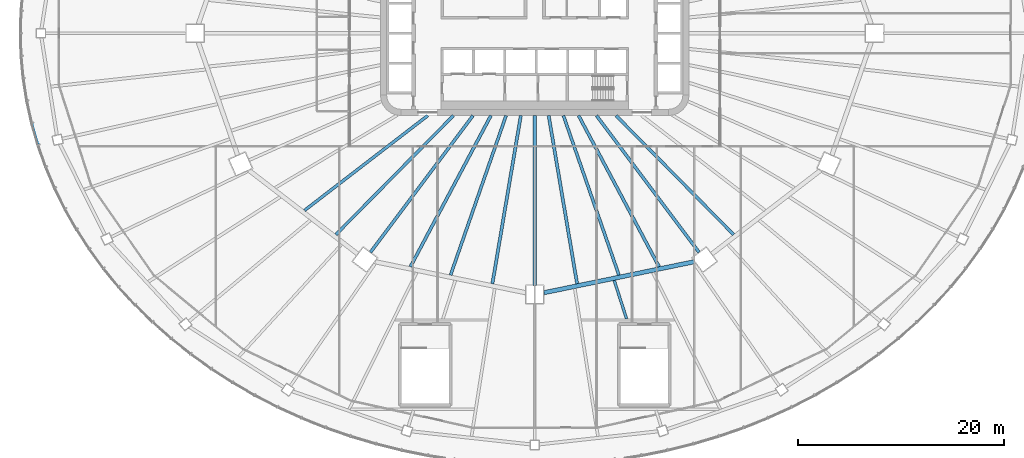
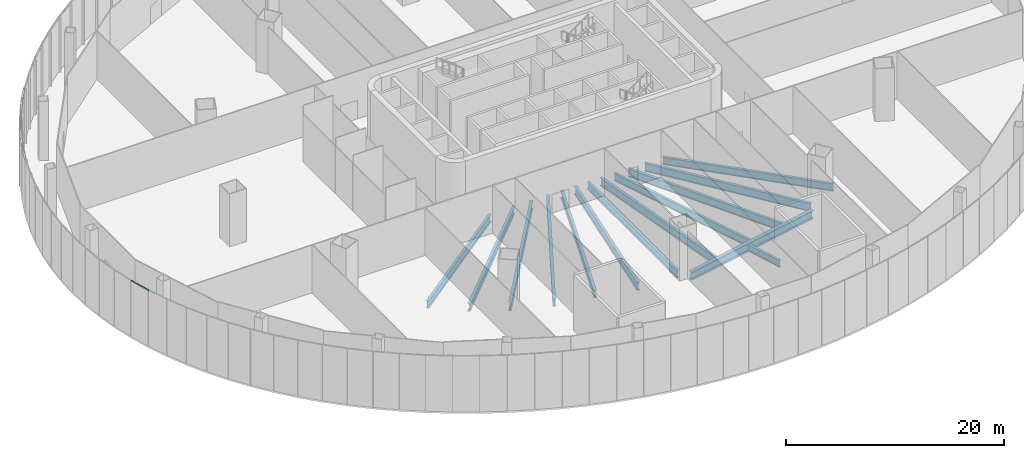
# One storey, part 5 of 33: 14 beams, 1 member, 1 element without a shape of its own.
"""IFC4 building model written with IfcOpenShell, lengths in metres."""

import ifcopenshell
import ifcopenshell.guid

model = None  # the IFC model being written
_history = None  # IfcOwnerHistory: only IFC2X3 demands one
_inside = {}  # id of a spatial element -> (the spatial element, [elements in it])
_under = {}  # id of a project, library or spatial element -> (it, [spatial elements below it])
_declared = {}  # id of a project -> (the project, [libraries it declares])
_typed = {}  # id of a type object -> (the type object, [elements of that type])
_made_of = {}  # id of a material, layer set ... -> (it, [elements and type objects made of it])


def new_model(schema):
    """Start an empty IFC model of exactly this schema.

    Asked for "IFC4X3", IfcOpenShell would pick the latest addendum, in which some entities
    have other attributes; the version numbers below select the first issue.
    IFC2X3 requires an IfcOwnerHistory on every rooted entity: one is made here for all.
    """
    global model, _history
    if schema == "IFC4X3":
        model = ifcopenshell.file(schema_version=(4, 3, 0, 0))
    else:
        model = ifcopenshell.file(schema=schema)
    _inside.clear()
    _under.clear()
    _declared.clear()
    _typed.clear()
    _made_of.clear()
    _history = None
    if model.schema == "IFC2X3":
        org = make("IfcOrganization", Name="unknown")
        user = make(
            "IfcPersonAndOrganization",
            ThePerson=make("IfcPerson", FamilyName="unknown"),
            TheOrganization=org,
        )
        app = make(
            "IfcApplication",
            ApplicationDeveloper=org,
            Version="unknown",
            ApplicationFullName="unknown",
            ApplicationIdentifier="unknown",
        )
        _history = make(
            "IfcOwnerHistory",
            OwningUser=user,
            OwningApplication=app,
            ChangeAction="ADDED",
            CreationDate=0,
        )
    return model


def make(cls, **values):
    """One entity of the class cls with the attributes given. An attribute that is None is left unset."""
    return model.create_entity(
        cls, **{name: value for name, value in values.items() if value is not None}
    )


def rooted(cls, **values):
    """An entity with a GlobalId (a new one), such as an element, a storey or a relation."""
    return make(cls, GlobalId=ifcopenshell.guid.new(), OwnerHistory=_history, **values)


def si_unit(unit_type, name, prefix=None):
    """IfcSIUnit, for example si_unit("LENGTHUNIT", "METRE", prefix="MILLI")."""
    return make("IfcSIUnit", UnitType=unit_type, Prefix=prefix, Name=name)


def assignment(units):
    """IfcUnitAssignment: the units of a project."""
    return None if units is None else make("IfcUnitAssignment", Units=units)


def point(xyz):
    """IfcCartesianPoint."""
    return None if xyz is None else make("IfcCartesianPoint", Coordinates=xyz)


def direction(xyz):
    """IfcDirection."""
    return None if xyz is None else make("IfcDirection", DirectionRatios=xyz)


def frame(location, z_axis=None, x_axis=None):
    """IfcAxis2Placement3D, a coordinate frame: its origin and axes. An axis left out is left unset."""
    return make(
        "IfcAxis2Placement3D",
        Location=point(location),
        Axis=direction(z_axis),
        RefDirection=direction(x_axis),
    )


def frame_2d(location, x_axis=None):
    """IfcAxis2Placement2D, a coordinate frame in the plane: its origin and x axis."""
    return make(
        "IfcAxis2Placement2D", Location=point(location), RefDirection=direction(x_axis)
    )


def origin():
    """The frame at (0, 0, 0) with its axes left unset."""
    return frame((0.0, 0.0, 0.0))


def origin_2d():
    """The frame at (0, 0) in the plane with its x axis left unset."""
    return frame_2d((0.0, 0.0))


def place(relative_to, where):
    """IfcLocalPlacement: puts the frame where relative to a parent placement (None: the world)."""
    return make(
        "IfcLocalPlacement", PlacementRelTo=relative_to, RelativePlacement=where
    )


def context(
    kind, dimensions, precision=None, world=None, true_north=None, identifier=None
):
    """IfcGeometricRepresentationContext, for example the 3D "Model" context."""
    return make(
        "IfcGeometricRepresentationContext",
        ContextIdentifier=identifier,
        ContextType=kind,
        CoordinateSpaceDimension=dimensions,
        Precision=precision,
        WorldCoordinateSystem=world,
        TrueNorth=true_north,
    )


def subcontext(parent, identifier, kind, view, scale=None):
    """IfcGeometricRepresentationSubContext, for example "Body" below "Model"."""
    return make(
        "IfcGeometricRepresentationSubContext",
        ContextIdentifier=identifier,
        ContextType=kind,
        ParentContext=parent,
        TargetScale=scale,
        TargetView=view,
    )


def project(units=None, contexts=None):
    """IfcProject with its units and contexts."""
    return rooted(
        "IfcProject",
        Name="project",
        RepresentationContexts=contexts,
        UnitsInContext=assignment(units),
    )


def spatial(cls, under=None, at=None, **own):
    """A site, building, storey or space (cls), placed at a placement, below another one or the project."""
    s = rooted(cls, ObjectPlacement=at, **own)
    if under is not None:
        _under.setdefault(under.id(), (under, []))[1].append(s)
    return s


def profile(cls, at=None, kind="AREA", **sizes):
    """A parametric profile (cls). Its sizes go by their IFC names, for example OverallWidth=200.0."""
    return make(cls, ProfileType=kind, Position=at, **sizes)


def rectangle(**sizes):
    """IfcRectangleProfileDef."""
    return profile("IfcRectangleProfileDef", **sizes)


def i_section(**sizes):
    """IfcIShapeProfileDef."""
    return profile("IfcIShapeProfileDef", **sizes)


def extrude(swept, where, along, depth):
    """IfcExtrudedAreaSolid: the profile swept, set in the frame where, extruded along a direction by depth."""
    return make(
        "IfcExtrudedAreaSolid",
        SweptArea=swept,
        Position=where,
        ExtrudedDirection=direction(along),
        Depth=depth,
    )


def shape(context_of_items, identifier, shape_type, items):
    """IfcShapeRepresentation: the items that make up one representation, for example the "Body"."""
    return make(
        "IfcShapeRepresentation",
        ContextOfItems=context_of_items,
        RepresentationIdentifier=identifier,
        RepresentationType=shape_type,
        Items=items,
    )


def material(Name=None, Category=None):
    """IfcMaterial."""
    return make("IfcMaterial", Name=Name, Category=Category)


def layer(
    of_material, thickness, ventilated=None, Name=None, Category=None, Priority=None
):
    """IfcMaterialLayer: one layer of a wall or slab, of a material (None: an air gap)."""
    return make(
        "IfcMaterialLayer",
        Material=of_material,
        LayerThickness=thickness,
        IsVentilated=ventilated,
        Name=Name,
        Category=Category,
        Priority=Priority,
    )


def layer_set(layers, Name=None):
    """IfcMaterialLayerSet."""
    return make("IfcMaterialLayerSet", MaterialLayers=layers, LayerSetName=Name)


def material_profile(
    of_material, cross_section, Name=None, Category=None, Priority=None
):
    """IfcMaterialProfile: a cross section and its material."""
    return make(
        "IfcMaterialProfile",
        Name=Name,
        Material=of_material,
        Profile=cross_section,
        Priority=Priority,
        Category=Category,
    )


def profile_set(profiles, Name=None, composite=None):
    """IfcMaterialProfileSet."""
    return make(
        "IfcMaterialProfileSet",
        Name=Name,
        MaterialProfiles=profiles,
        CompositeProfile=composite,
    )


def made_of(thing, what):
    """Note that an element or type object is made of a material, layer set ...; save() writes the relation."""
    if what is not None:
        _made_of.setdefault(what.id(), (what, []))[1].append(thing)
    return thing


def type_object(cls, material=None, **own):
    """A type object (cls), such as IfcWallType, which elements share."""
    return made_of(rooted(cls, **own), material)


def element(
    cls,
    number,
    at=None,
    inside=None,
    cuts=None,
    type_object=None,
    material=None,
    context=None,
    identifier="Body",
    shape_type=None,
    held_by="IfcProductDefinitionShape",
    body=None,
    shapes=None,
    **own,
):
    """One element of the class cls, such as IfcWall. Its Tag is "e" and its number.

    at: its placement. inside: the storey or other place that contains it. cuts: it is an
    opening in that element (IfcRelVoidsElement). A single representation is given by context,
    identifier, shape_type and body (its items); several are given by shapes. held_by: the class
    of the entity that holds the representations. save() writes the other relations.
    """
    e = rooted(cls, Tag="e%d" % number, ObjectPlacement=at, **own)
    if body is not None:
        shapes = [shape(context, identifier, shape_type, body)]
    if shapes is not None:
        e.Representation = make(held_by, Representations=shapes)
    if inside is not None:
        _inside.setdefault(inside.id(), (inside, []))[1].append(e)
    if cuts is not None:
        rooted(
            "IfcRelVoidsElement", RelatingBuildingElement=cuts, RelatedOpeningElement=e
        )
    if type_object is not None:
        _typed.setdefault(type_object.id(), (type_object, []))[1].append(e)
    return made_of(e, material)


def aggregate(whole, parts):
    """IfcRelAggregates: a whole, such as a stair, and the parts it consists of."""
    return rooted("IfcRelAggregates", RelatingObject=whole, RelatedObjects=parts)


def save(model, path):
    """Write the relations noted so far, then the file.

    IfcRelAggregates (storeys below a building ...), IfcRelContainedInSpatialStructure (elements
    in a storey), IfcRelDefinesByType, IfcRelAssociatesMaterial and IfcRelDeclares: one each for
    every whole, place, type object, material and project.
    """
    for whole, parts in _under.values():
        aggregate(whole, parts)
    for where, things in _inside.values():
        rooted(
            "IfcRelContainedInSpatialStructure",
            RelatedElements=things,
            RelatingStructure=where,
        )
    for kind, things in _typed.values():
        rooted("IfcRelDefinesByType", RelatedObjects=things, RelatingType=kind)
    for what, things in _made_of.values():
        rooted("IfcRelAssociatesMaterial", RelatedObjects=things, RelatingMaterial=what)
    for by, libraries in _declared.values():
        rooted("IfcRelDeclares", RelatingContext=by, RelatedDefinitions=libraries)
    model.write(path)


model = new_model("IFC4")

# Units and contexts
model_context = context("Model", 3, precision=1e-05, world=origin(), true_north=direction((0.0, 1.0)))
body_context = subcontext(model_context, "Body", "Model", "MODEL_VIEW")
ifc_project = project(units=[si_unit("LENGTHUNIT", "METRE"), si_unit("AREAUNIT", "SQUARE_METRE"), si_unit("VOLUMEUNIT", "CUBIC_METRE"), si_unit("PLANEANGLEUNIT", "RADIAN"), si_unit("MASSUNIT", "GRAM", prefix="KILO")], contexts=[model_context])

# Site, building, storey
site_placement = place(None, origin())
site = spatial("IfcSite", under=ifc_project, at=site_placement, CompositionType="ELEMENT")
building_placement = place(site_placement, origin())
building = spatial("IfcBuilding", under=site, at=building_placement, Name="Sahrelin Media Tower", CompositionType="ELEMENT")
storey_placement = place(building_placement, frame((0.0, 0.0, 37.39990234375)))
storey = spatial("IfcBuildingStorey", under=building, at=storey_placement, Name="L05", CompositionType="ELEMENT", Elevation=37.39990234375)

# Beams
ifc_material_1 = material(Name="Steel S355", Category="steel")
ifc_material_profile_1 = material_profile(ifc_material_1, i_section(OverallWidth=0.41845703125, OverallDepth=0.911865234375, WebThickness=0.019287109375, FlangeThickness=0.031982421875, FilletRadius=0.024169921875, at=origin_2d()), Name="UB 914x419x343")
ifc_profile_set_1 = profile_set([ifc_material_profile_1], Name="Steel S355")
beam_type_1 = type_object("IfcBeamType", Name="Podium ring girder PG12", PredefinedType="BEAM", material=ifc_profile_set_1)
beam_1_placement = place(storey_placement, frame((0.89990234375, -25.21435546875, -0.65576171875), z_axis=(0.979388513106, 0.201985495508, 0.0), x_axis=(-0.201985495508, 0.979388513106, 0.0)))
element("IfcBeam", 1, at=beam_1_placement, inside=storey, type_object=beam_type_1, Name="Podium girder L05-10", PredefinedType="BEAM", context=body_context, shape_type="SweptSolid", body=[
    extrude(i_section(OverallWidth=0.41845703125, OverallDepth=0.911865234375, WebThickness=0.019287109375, FlangeThickness=0.031982421875, FilletRadius=0.024169921875, at=origin_2d()), origin(), (0.0, 0.0, 1.0), 14.93359375),
])
ifc_material_profile_2 = material_profile(ifc_material_1, i_section(OverallWidth=0.291748046875, OverallDepth=0.8349609375, WebThickness=0.013916015625, FlangeThickness=0.018798828125, FilletRadius=0.017822265625, at=origin_2d()), Name="UB 838x292x176")
ifc_profile_set_2 = profile_set([ifc_material_profile_2], Name="Steel S355")
beam_type_2 = type_object("IfcBeamType", Name="Radial primary beam PB10", PredefinedType="BEAM", material=ifc_profile_set_2)
beam_2_placement = place(storey_placement, frame((-10.393798828125, -8.0, -0.617431640625), z_axis=(-0.79244196099, -0.609947324335, 0.0), x_axis=(0.609947324335, -0.79244196099, 0.0)))
element("IfcBeam", 2, at=beam_2_placement, inside=storey, type_object=beam_type_2, Name="Radial beam L05-16", PredefinedType="BEAM", context=body_context, shape_type="SweptSolid", body=[
    extrude(i_section(OverallWidth=0.291748046875, OverallDepth=0.8349609375, WebThickness=0.013916015625, FlangeThickness=0.018798828125, FilletRadius=0.017822265625, at=origin_2d()), origin(), (0.0, 0.0, 1.0), 15.1103515625),
])
beam_3_placement = place(storey_placement, frame((-2.784912109375, -8.0, -0.617431640625), z_axis=(-0.328776215552, -0.944407856854, 0.0), x_axis=(0.944407856854, -0.328776215552, 0.0)))
element("IfcBeam", 3, at=beam_3_placement, inside=storey, type_object=beam_type_2, Name="Radial beam L05-18", PredefinedType="BEAM", context=body_context, shape_type="SweptSolid", body=[
    extrude(i_section(OverallWidth=0.291748046875, OverallDepth=0.8349609375, WebThickness=0.013916015625, FlangeThickness=0.018798828125, FilletRadius=0.017822265625, at=origin_2d()), origin(), (0.0, 0.0, 1.0), 16.41162109375),
])
beam_4_placement = place(storey_placement, frame((0.0, -8.0, -0.617431640625), z_axis=(0.0, -1.0, 0.0), x_axis=(1.0, 0.0, 0.0)))
element("IfcBeam", 4, at=beam_4_placement, inside=storey, type_object=beam_type_2, Name="Radial beam L05-19", PredefinedType="BEAM", context=body_context, shape_type="SweptSolid", body=[
    extrude(i_section(OverallWidth=0.291748046875, OverallDepth=0.8349609375, WebThickness=0.013916015625, FlangeThickness=0.018798828125, FilletRadius=0.017822265625, at=origin_2d()), origin(), (0.0, 0.0, 1.0), 16.5),
])
beam_5_placement = place(storey_placement, frame((2.784912109375, -8.0, -0.617431640625), z_axis=(0.328776215552, -0.944407856854, 0.0), x_axis=(0.944407856854, 0.328776215552, 0.0)))
element("IfcBeam", 5, at=beam_5_placement, inside=storey, type_object=beam_type_2, Name="Radial beam L05-20", PredefinedType="BEAM", context=body_context, shape_type="SweptSolid", body=[
    extrude(i_section(OverallWidth=0.291748046875, OverallDepth=0.8349609375, WebThickness=0.013916015625, FlangeThickness=0.018798828125, FilletRadius=0.017822265625, at=origin_2d()), origin(), (0.0, 0.0, 1.0), 16.41162109375),
])
ifc_material_profile_3 = material_profile(ifc_material_1, i_section(OverallWidth=0.30322265625, OverallDepth=0.903076171875, WebThickness=0.01513671875, FlangeThickness=0.020263671875, FilletRadius=0.01904296875, at=origin_2d()), Name="UB 914x305x201")
ifc_profile_set_3 = profile_set([ifc_material_profile_3], Name="Steel S355")
beam_type_3 = type_object("IfcBeamType", Name="Radial primary beam PB11", PredefinedType="BEAM", material=ifc_profile_set_3)
for number, where, z_axis, x_axis, name in (
    (6, (-6.000732421875, -8.0, -0.6513671875), (-0.600054130443, -0.799959399306, 0.0), (0.799959399306, -0.600054130443, 0.0), "Radial beam L05-17"),
    (7, (6.000732421875, -8.0, -0.6513671875), (0.600054130443, -0.799959399306, 0.0), (0.799959399306, 0.600054130443, 0.0), "Radial beam L05-21"),
):
    element("IfcBeam", number, at=place(storey_placement, frame(where, z_axis=z_axis, x_axis=x_axis)), inside=storey, type_object=beam_type_3, Name=name, PredefinedType="BEAM", context=body_context, shape_type="SweptSolid", body=[
        extrude(i_section(OverallWidth=0.30322265625, OverallDepth=0.903076171875, WebThickness=0.01513671875, FlangeThickness=0.020263671875, FilletRadius=0.01904296875, at=origin_2d()), origin(), (0.0, 0.0, 1.0), 16.59716796875),
    ])
ifc_material_profile_4 = material_profile(ifc_material_1, i_section(OverallWidth=0.26513671875, OverallDepth=0.75390625, WebThickness=0.0126953125, FlangeThickness=0.017578125, FilletRadius=0.0166015625, at=origin_2d()), Name="UB 762x267x147")
ifc_profile_set_4 = profile_set([ifc_material_profile_4], Name="Steel S355")
beam_type_4 = type_object("IfcBeamType", Name="Radial primary beam PB9", PredefinedType="BEAM", material=ifc_profile_set_4)
beam_6_placement = place(storey_placement, frame((7.7236328125, -24.020751953125, -0.576904296875), z_axis=(0.30607575523, -0.952007159669, 0.0), x_axis=(0.952007159669, 0.30607575523, 0.0)))
element("IfcBeam", 8, at=beam_6_placement, inside=storey, type_object=beam_type_4, Name="Radial beam L05-23", PredefinedType="BEAM", context=body_context, shape_type="SweptSolid", body=[
    extrude(i_section(OverallWidth=0.26513671875, OverallDepth=0.75390625, WebThickness=0.0126953125, FlangeThickness=0.017578125, FilletRadius=0.0166015625, at=origin_2d()), origin(), (0.0, 0.0, 1.0), 3.917236328125),
])
ifc_material_profile_5 = material_profile(ifc_material_1, i_section(OverallWidth=0.291748046875, OverallDepth=0.8349609375, WebThickness=0.013916015625, FlangeThickness=0.018798828125, FilletRadius=0.017822265625, at=origin_2d()), Name="UB 838x292x176")
ifc_profile_set_5 = profile_set([ifc_material_profile_5], Name="Steel S355")
beam_type_5 = type_object("IfcBeamType", Name="Radial secondary beam SB10", PredefinedType="BEAM", material=ifc_profile_set_5)
for number, where, z_axis, x_axis, name in (
    (9, (-7.901123046875, -8.0, -0.617431640625), (-0.702706329063, -0.711480017355, 0.0), (0.711480017355, -0.702706329063, 0.0), "Secondary beam L05-16"),
    (10, (7.901123046875, -8.0, -0.617431640625), (0.702706329063, -0.711480017355, 0.0), (0.711480017355, 0.702706329063, 0.0), "Secondary beam L05-21"),
):
    element("IfcBeam", number, at=place(storey_placement, frame(where, z_axis=z_axis, x_axis=x_axis)), inside=storey, type_object=beam_type_5, Name=name, PredefinedType="BEAM", context=body_context, shape_type="SweptSolid", body=[
        extrude(i_section(OverallWidth=0.291748046875, OverallDepth=0.8349609375, WebThickness=0.013916015625, FlangeThickness=0.018798828125, FilletRadius=0.017822265625, at=origin_2d()), origin(), (0.0, 0.0, 1.0), 16.250732421875),
    ])
ifc_material_profile_6 = material_profile(ifc_material_1, i_section(OverallWidth=0.30322265625, OverallDepth=0.903076171875, WebThickness=0.01513671875, FlangeThickness=0.020263671875, FilletRadius=0.01904296875, at=origin_2d()), Name="UB 914x305x201")
ifc_profile_set_6 = profile_set([ifc_material_profile_6], Name="Steel S355")
beam_type_6 = type_object("IfcBeamType", Name="Radial secondary beam SB11", PredefinedType="BEAM", material=ifc_profile_set_6)
beam_7_placement = place(storey_placement, frame((-4.259765625, -8.0, -0.6513671875), z_axis=(-0.469997453325, -0.882667770947, 0.0), x_axis=(0.882667770947, -0.469997453325, 0.0)))
element("IfcBeam", 11, at=beam_7_placement, inside=storey, type_object=beam_type_6, Name="Secondary beam L05-17", PredefinedType="BEAM", context=body_context, shape_type="SweptSolid", body=[
    extrude(i_section(OverallWidth=0.30322265625, OverallDepth=0.903076171875, WebThickness=0.01513671875, FlangeThickness=0.020263671875, FilletRadius=0.01904296875, at=origin_2d()), origin(), (0.0, 0.0, 1.0), 16.6474609375),
])
for number, where, z_axis, x_axis, name in (
    (12, (-1.352783203125, -8.0, -0.6513671875), (-0.166704262426, -0.986006941603, 0.0), (0.986006941603, -0.166704262426, 0.0), "Secondary beam L05-18"),
    (13, (1.352783203125, -8.0, -0.6513671875), (0.166704262426, -0.986006941603, 0.0), (0.986006941603, 0.166704262426, 0.0), "Secondary beam L05-19"),
):
    element("IfcBeam", number, at=place(storey_placement, frame(where, z_axis=z_axis, x_axis=x_axis)), inside=storey, type_object=beam_type_6, Name=name, PredefinedType="BEAM", context=body_context, shape_type="SweptSolid", body=[
        extrude(i_section(OverallWidth=0.30322265625, OverallDepth=0.903076171875, WebThickness=0.01513671875, FlangeThickness=0.020263671875, FilletRadius=0.01904296875, at=origin_2d()), origin(), (0.0, 0.0, 1.0), 16.569580078125),
    ])
beam_8_placement = place(storey_placement, frame((4.259765625, -8.0, -0.6513671875), z_axis=(0.469997453325, -0.882667770947, 0.0), x_axis=(0.882667770947, 0.469997453325, 0.0)))
element("IfcBeam", 14, at=beam_8_placement, inside=storey, type_object=beam_type_6, Name="Secondary beam L05-20", PredefinedType="BEAM", context=body_context, shape_type="SweptSolid", body=[
    extrude(i_section(OverallWidth=0.30322265625, OverallDepth=0.903076171875, WebThickness=0.01513671875, FlangeThickness=0.020263671875, FilletRadius=0.01904296875, at=origin_2d()), origin(), (0.0, 0.0, 1.0), 16.6474609375),
])

# Curtain wall, member
ifc_material_2 = material(Name="Champagne anodised aluminium 6063-T6", Category="aluminium")
ifc_layer = layer(ifc_material_2, 0.14990234375)
ifc_layer_set = layer_set([ifc_layer], Name="Podium ribbon curtain wall")
curtain_wall_type = type_object("IfcCurtainWallType", Name="Podium ribbon curtain wall", PredefinedType="NOTDEFINED", material=ifc_layer_set)
curtain_wall_placement = place(storey_placement, frame((-50.0, 0.0, 0.0), z_axis=(0.0, 0.0, 1.0), x_axis=(1.0, 0.0, 0.0)))
curtain_wall = element("IfcCurtainWall", 15, at=curtain_wall_placement, inside=storey, type_object=curtain_wall_type, Name="L05:CW:L05-P12", PredefinedType="NOTDEFINED")
ifc_material_profile_7 = material_profile(ifc_material_2, rectangle(XDim=0.06005859375, YDim=0.14990234375, at=origin_2d()), Name="Transom 60x150")
ifc_profile_set_7 = profile_set([ifc_material_profile_7], Name="Champagne anodised aluminium 6063-T6")
member_type = type_object("IfcMemberType", Name="Transom 60x150 CW5", PredefinedType="USERDEFINED", material=ifc_profile_set_7)
member_placement = place(storey_placement, frame((-48.845703125, -8.7666015625, 6.175048828125), z_axis=(0.274824960972, -0.961494274984, 0.0), x_axis=(0.961494274984, 0.274824960972, 0.0)))
member = element("IfcMember", 16, at=member_placement, type_object=member_type, Name="L05:CWT5a:L05-P12", ObjectType="TRANSOM", PredefinedType="USERDEFINED", context=body_context, shape_type="SweptSolid", body=[
    extrude(rectangle(XDim=0.06005859375, YDim=0.14990234375, at=origin_2d()), origin(), (0.0, 0.0, 1.0), 2.173828125),
])
aggregate(curtain_wall, [member])

save(model, "model.ifc")
